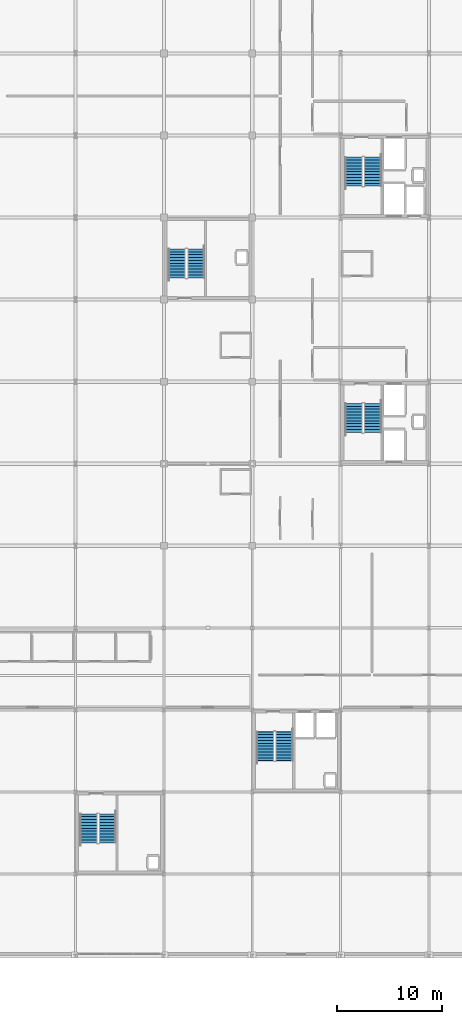
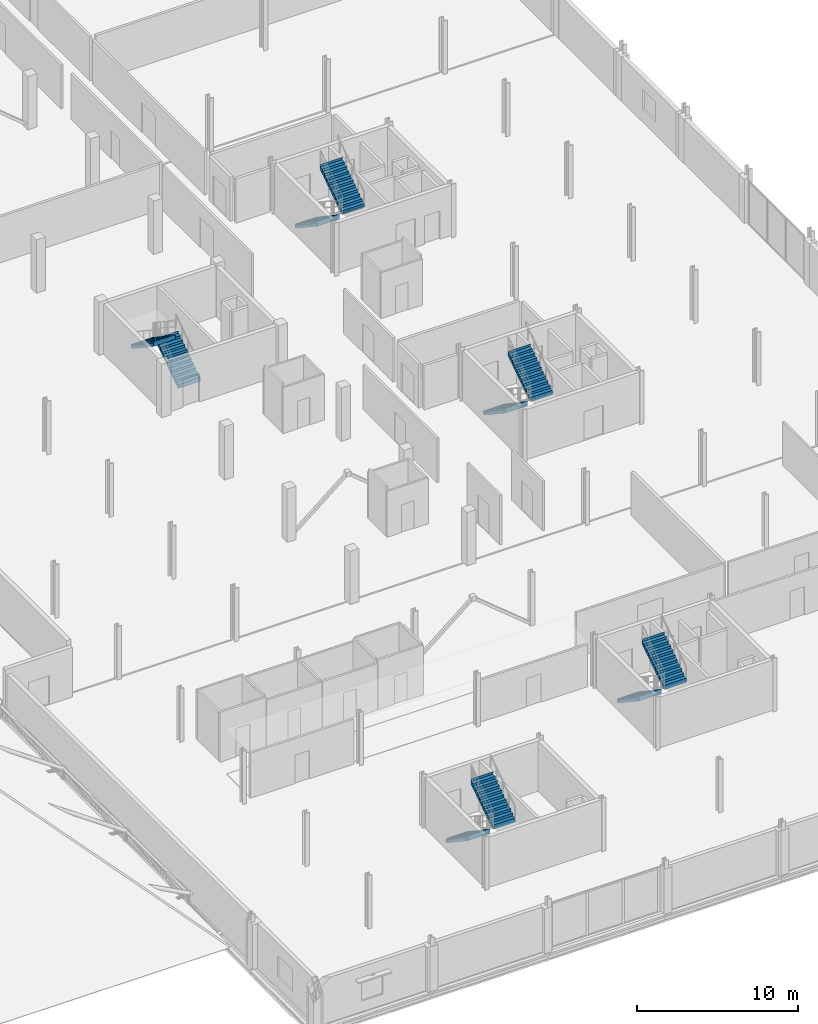
# One storey, part 64 of 77: 10 stair flights, 5 elements without a shape of their own.
"""IFC4 building model written with IfcOpenShell, lengths in metres."""

import ifcopenshell
import ifcopenshell.guid

model = None  # the IFC model being written
_history = None  # IfcOwnerHistory: only IFC2X3 demands one
_inside = {}  # id of a spatial element -> (the spatial element, [elements in it])
_under = {}  # id of a project, library or spatial element -> (it, [spatial elements below it])
_declared = {}  # id of a project -> (the project, [libraries it declares])
_typed = {}  # id of a type object -> (the type object, [elements of that type])
_made_of = {}  # id of a material, layer set ... -> (it, [elements and type objects made of it])


def new_model(schema):
    """Start an empty IFC model of exactly this schema.

    Asked for "IFC4X3", IfcOpenShell would pick the latest addendum, in which some entities
    have other attributes; the version numbers below select the first issue.
    IFC2X3 requires an IfcOwnerHistory on every rooted entity: one is made here for all.
    """
    global model, _history
    if schema == "IFC4X3":
        model = ifcopenshell.file(schema_version=(4, 3, 0, 0))
    else:
        model = ifcopenshell.file(schema=schema)
    _inside.clear()
    _under.clear()
    _declared.clear()
    _typed.clear()
    _made_of.clear()
    _history = None
    if model.schema == "IFC2X3":
        org = make("IfcOrganization", Name="unknown")
        user = make(
            "IfcPersonAndOrganization",
            ThePerson=make("IfcPerson", FamilyName="unknown"),
            TheOrganization=org,
        )
        app = make(
            "IfcApplication",
            ApplicationDeveloper=org,
            Version="unknown",
            ApplicationFullName="unknown",
            ApplicationIdentifier="unknown",
        )
        _history = make(
            "IfcOwnerHistory",
            OwningUser=user,
            OwningApplication=app,
            ChangeAction="ADDED",
            CreationDate=0,
        )
    return model


def make(cls, **values):
    """One entity of the class cls with the attributes given. An attribute that is None is left unset."""
    return model.create_entity(
        cls, **{name: value for name, value in values.items() if value is not None}
    )


def rooted(cls, **values):
    """An entity with a GlobalId (a new one), such as an element, a storey or a relation."""
    return make(cls, GlobalId=ifcopenshell.guid.new(), OwnerHistory=_history, **values)


def si_unit(unit_type, name, prefix=None):
    """IfcSIUnit, for example si_unit("LENGTHUNIT", "METRE", prefix="MILLI")."""
    return make("IfcSIUnit", UnitType=unit_type, Prefix=prefix, Name=name)


def assignment(units):
    """IfcUnitAssignment: the units of a project."""
    return None if units is None else make("IfcUnitAssignment", Units=units)


def point(xyz):
    """IfcCartesianPoint."""
    return None if xyz is None else make("IfcCartesianPoint", Coordinates=xyz)


def direction(xyz):
    """IfcDirection."""
    return None if xyz is None else make("IfcDirection", DirectionRatios=xyz)


def frame(location, z_axis=None, x_axis=None):
    """IfcAxis2Placement3D, a coordinate frame: its origin and axes. An axis left out is left unset."""
    return make(
        "IfcAxis2Placement3D",
        Location=point(location),
        Axis=direction(z_axis),
        RefDirection=direction(x_axis),
    )


def origin():
    """The frame at (0, 0, 0) with its axes left unset."""
    return frame((0.0, 0.0, 0.0))


def place(relative_to, where):
    """IfcLocalPlacement: puts the frame where relative to a parent placement (None: the world)."""
    return make(
        "IfcLocalPlacement", PlacementRelTo=relative_to, RelativePlacement=where
    )


def context(
    kind, dimensions, precision=None, world=None, true_north=None, identifier=None
):
    """IfcGeometricRepresentationContext, for example the 3D "Model" context."""
    return make(
        "IfcGeometricRepresentationContext",
        ContextIdentifier=identifier,
        ContextType=kind,
        CoordinateSpaceDimension=dimensions,
        Precision=precision,
        WorldCoordinateSystem=world,
        TrueNorth=true_north,
    )


def subcontext(parent, identifier, kind, view, scale=None):
    """IfcGeometricRepresentationSubContext, for example "Body" below "Model"."""
    return make(
        "IfcGeometricRepresentationSubContext",
        ContextIdentifier=identifier,
        ContextType=kind,
        ParentContext=parent,
        TargetScale=scale,
        TargetView=view,
    )


def project(units=None, contexts=None):
    """IfcProject with its units and contexts."""
    return rooted(
        "IfcProject",
        Name="project",
        RepresentationContexts=contexts,
        UnitsInContext=assignment(units),
    )


def spatial(cls, under=None, at=None, **own):
    """A site, building, storey or space (cls), placed at a placement, below another one or the project."""
    s = rooted(cls, ObjectPlacement=at, **own)
    if under is not None:
        _under.setdefault(under.id(), (under, []))[1].append(s)
    return s


def polyline(points):
    """IfcPolyline through the points."""
    return make("IfcPolyline", Points=[point(p) for p in points])


def outline(outer, holes=None, kind="AREA"):
    """IfcArbitraryClosedProfileDef: a profile drawn as a closed curve; with holes, ...WithVoids."""
    if holes is None:
        return make("IfcArbitraryClosedProfileDef", ProfileType=kind, OuterCurve=outer)
    return make(
        "IfcArbitraryProfileDefWithVoids",
        ProfileType=kind,
        OuterCurve=outer,
        InnerCurves=holes,
    )


def extrude(swept, where, along, depth):
    """IfcExtrudedAreaSolid: the profile swept, set in the frame where, extruded along a direction by depth."""
    return make(
        "IfcExtrudedAreaSolid",
        SweptArea=swept,
        Position=where,
        ExtrudedDirection=direction(along),
        Depth=depth,
    )


def shape(context_of_items, identifier, shape_type, items):
    """IfcShapeRepresentation: the items that make up one representation, for example the "Body"."""
    return make(
        "IfcShapeRepresentation",
        ContextOfItems=context_of_items,
        RepresentationIdentifier=identifier,
        RepresentationType=shape_type,
        Items=items,
    )


def material(Name=None, Category=None):
    """IfcMaterial."""
    return make("IfcMaterial", Name=Name, Category=Category)


def made_of(thing, what):
    """Note that an element or type object is made of a material, layer set ...; save() writes the relation."""
    if what is not None:
        _made_of.setdefault(what.id(), (what, []))[1].append(thing)
    return thing


def type_object(cls, material=None, **own):
    """A type object (cls), such as IfcWallType, which elements share."""
    return made_of(rooted(cls, **own), material)


def element(
    cls,
    number,
    at=None,
    inside=None,
    cuts=None,
    type_object=None,
    material=None,
    context=None,
    identifier="Body",
    shape_type=None,
    held_by="IfcProductDefinitionShape",
    body=None,
    shapes=None,
    **own,
):
    """One element of the class cls, such as IfcWall. Its Tag is "e" and its number.

    at: its placement. inside: the storey or other place that contains it. cuts: it is an
    opening in that element (IfcRelVoidsElement). A single representation is given by context,
    identifier, shape_type and body (its items); several are given by shapes. held_by: the class
    of the entity that holds the representations. save() writes the other relations.
    """
    e = rooted(cls, Tag="e%d" % number, ObjectPlacement=at, **own)
    if body is not None:
        shapes = [shape(context, identifier, shape_type, body)]
    if shapes is not None:
        e.Representation = make(held_by, Representations=shapes)
    if inside is not None:
        _inside.setdefault(inside.id(), (inside, []))[1].append(e)
    if cuts is not None:
        rooted(
            "IfcRelVoidsElement", RelatingBuildingElement=cuts, RelatedOpeningElement=e
        )
    if type_object is not None:
        _typed.setdefault(type_object.id(), (type_object, []))[1].append(e)
    return made_of(e, material)


def aggregate(whole, parts):
    """IfcRelAggregates: a whole, such as a stair, and the parts it consists of."""
    return rooted("IfcRelAggregates", RelatingObject=whole, RelatedObjects=parts)


def save(model, path):
    """Write the relations noted so far, then the file.

    IfcRelAggregates (storeys below a building ...), IfcRelContainedInSpatialStructure (elements
    in a storey), IfcRelDefinesByType, IfcRelAssociatesMaterial and IfcRelDeclares: one each for
    every whole, place, type object, material and project.
    """
    for whole, parts in _under.values():
        aggregate(whole, parts)
    for where, things in _inside.values():
        rooted(
            "IfcRelContainedInSpatialStructure",
            RelatedElements=things,
            RelatingStructure=where,
        )
    for kind, things in _typed.values():
        rooted("IfcRelDefinesByType", RelatedObjects=things, RelatingType=kind)
    for what, things in _made_of.values():
        rooted("IfcRelAssociatesMaterial", RelatedObjects=things, RelatingMaterial=what)
    for by, libraries in _declared.values():
        rooted("IfcRelDeclares", RelatingContext=by, RelatedDefinitions=libraries)
    model.write(path)


model = new_model("IFC4")

# Units and contexts
model_context = context("Model", 3, precision=1e-05, world=origin(), true_north=direction((0.0, 1.0)))
body_context = subcontext(model_context, "Body", "Model", "MODEL_VIEW")
ifc_project = project(units=[si_unit("LENGTHUNIT", "METRE"), si_unit("AREAUNIT", "SQUARE_METRE"), si_unit("VOLUMEUNIT", "CUBIC_METRE"), si_unit("PLANEANGLEUNIT", "RADIAN"), si_unit("MASSUNIT", "GRAM", prefix="KILO")], contexts=[model_context])

# Site, building, storey
site_placement = place(None, origin())
site = spatial("IfcSite", under=ifc_project, at=site_placement, CompositionType="ELEMENT")
building_placement = place(site_placement, origin())
building = spatial("IfcBuilding", under=site, at=building_placement, Name="Nabrawat Pavilion Hospital", CompositionType="ELEMENT")
storey_placement = place(building_placement, frame((0.0, 0.0, 14.85009765625)))
storey = spatial("IfcBuildingStorey", under=building, at=storey_placement, Name="L03", CompositionType="ELEMENT", Elevation=14.85009765625)

# Stair, stair flights
ifc_material = material(Name="Concrete C35/45", Category="concrete")
stair_type_1 = type_object("IfcStairType", Name="Core Dogleg Escape Stair Assembly", PredefinedType="HALF_TURN_STAIR", material=ifc_material)
stair_1_placement = place(storey_placement, origin())
stair_1 = element("IfcStair", 1, at=stair_1_placement, inside=storey, type_object=stair_type_1, Name="L03 Outpatient Clinics Core 4", PredefinedType="HALF_TURN_STAIR")
stair_flight_type = type_object("IfcStairFlightType", Name="Reinforced Concrete Escape Stair Flight 1600", PredefinedType="STRAIGHT", material=ifc_material)
stair_flight_1_placement = place(storey_placement, frame((160.85009765625, 21.330078125, 0.0), z_axis=(0.0, 0.0, 1.0), x_axis=(0.0, -1.0, 0.0)))
stair_flight_1 = element("IfcStairFlight", 2, at=stair_flight_1_placement, type_object=stair_flight_type, Name="ST-04 flight 1", NumberOfRisers=11, NumberOfTreads=10, PredefinedType="STRAIGHT", RiserHeight=0.184090909, TreadLength=0.275, context=body_context, shape_type="SweptSolid", body=[
    extrude(outline(polyline([(-0.008056640625, 0.0), (0.0, 0.0), (0.0, 0.18408203125), (0.27490234375, 0.18408203125), (0.27490234375, 0.3681640625), (0.550048828125, 0.3681640625), (0.550048828125, 0.55224609375), (0.824951171875, 0.55224609375), (0.824951171875, 0.736328125), (1.10009765625, 0.736328125), (1.10009765625, 0.92041015625), (1.375, 0.92041015625), (1.375, 1.1044921875), (1.64990234375, 1.1044921875), (1.64990234375, 1.28857421875), (1.925048828125, 1.28857421875), (1.925048828125, 1.47265625), (2.199951171875, 1.47265625), (2.199951171875, 1.65673828125), (2.47509765625, 1.65673828125), (2.47509765625, 1.8408203125), (2.75, 1.8408203125), (2.75, 2.02490234375), (2.758056640625, 2.02490234375), (2.758056640625, 1.875), (2.75, 1.660400390625), (0.26953125, 0.0), (-0.008056640625, -0.1201171875), (-0.008056640625, 0.0)])), frame((0.0, 0.800048828125, 0.0), z_axis=(0.0, -1.0, 0.0), x_axis=(1.0, 0.0, 0.0)), (0.0, 0.0, 1.0), 1.60009765625),
])
stair_flight_2_placement = place(storey_placement, frame((162.64990234375, 18.580078125, 2.02490234375), z_axis=(0.0, 0.0, 1.0), x_axis=(0.0, 1.0, 0.0)))
stair_flight_2 = element("IfcStairFlight", 3, at=stair_flight_2_placement, type_object=stair_flight_type, Name="ST-04 flight 2", NumberOfRisers=11, NumberOfTreads=10, PredefinedType="STRAIGHT", RiserHeight=0.184090909, TreadLength=0.275, context=body_context, shape_type="SweptSolid", body=[
    extrude(outline(polyline([(-0.008056640625, 0.0), (0.0, 0.0), (0.0, 0.18408203125), (0.27490234375, 0.18408203125), (0.27490234375, 0.3681640625), (0.550048828125, 0.3681640625), (0.550048828125, 0.55224609375), (0.824951171875, 0.55224609375), (0.824951171875, 0.736328125), (1.10009765625, 0.736328125), (1.10009765625, 0.92041015625), (1.375, 0.92041015625), (1.375, 1.1044921875), (1.64990234375, 1.1044921875), (1.64990234375, 1.28857421875), (1.925048828125, 1.28857421875), (1.925048828125, 1.47265625), (2.199951171875, 1.47265625), (2.199951171875, 1.65673828125), (2.47509765625, 1.65673828125), (2.47509765625, 1.8408203125), (2.75, 1.8408203125), (2.75, 2.02490234375), (2.758056640625, 2.02490234375), (2.758056640625, 1.875), (2.75, 1.660400390625), (0.26953125, 0.0), (-0.008056640625, -0.1201171875), (-0.008056640625, 0.0)])), frame((0.0, 0.800048828125, 0.0), z_axis=(0.0, -1.0, 0.0), x_axis=(1.0, 0.0, 0.0)), (0.0, 0.0, 1.0), 1.60009765625),
])
aggregate(stair_1, [stair_flight_1, stair_flight_2])

stair_type_2 = type_object("IfcStairType", Name="Ward Upper Dogleg Escape Stair Assembly", PredefinedType="HALF_TURN_STAIR", material=ifc_material)
stair_2_placement = place(storey_placement, origin())
stair_2 = element("IfcStair", 4, at=stair_2_placement, inside=storey, type_object=stair_type_2, Name="L03 Inpatient South Firefighting Core 5", PredefinedType="HALF_TURN_STAIR")
stair_flight_3_placement = place(storey_placement, frame((169.25, 52.530029296875, 0.0), z_axis=(0.0, 0.0, 1.0), x_axis=(0.0, -1.0, 0.0)))
stair_flight_3 = element("IfcStairFlight", 5, at=stair_flight_3_placement, type_object=stair_flight_type, Name="ST-05 flight 1", NumberOfRisers=11, NumberOfTreads=10, PredefinedType="STRAIGHT", RiserHeight=0.184090909, TreadLength=0.275, context=body_context, shape_type="SweptSolid", body=[
    extrude(outline(polyline([(-0.008056640625, 0.0), (0.0, 0.0), (0.0, 0.18408203125), (0.27490234375, 0.18408203125), (0.27490234375, 0.3681640625), (0.550048828125, 0.3681640625), (0.550048828125, 0.55224609375), (0.824951171875, 0.55224609375), (0.824951171875, 0.736328125), (1.10009765625, 0.736328125), (1.10009765625, 0.92041015625), (1.375, 0.92041015625), (1.375, 1.1044921875), (1.64990234375, 1.1044921875), (1.64990234375, 1.28857421875), (1.925048828125, 1.28857421875), (1.925048828125, 1.47265625), (2.199951171875, 1.47265625), (2.199951171875, 1.65673828125), (2.47509765625, 1.65673828125), (2.47509765625, 1.8408203125), (2.75, 1.8408203125), (2.75, 2.02490234375), (2.758056640625, 2.02490234375), (2.758056640625, 1.875), (2.75, 1.660400390625), (0.26953125, 0.0), (-0.008056640625, -0.1201171875), (-0.008056640625, 0.0)])), frame((0.0, 0.800048828125, 0.0), z_axis=(0.0, -1.0, 0.0), x_axis=(1.0, 0.0, 0.0)), (0.0, 0.0, 1.0), 1.60009765625),
])
stair_flight_4_placement = place(storey_placement, frame((171.050048828125, 49.780029296875, 2.02490234375), z_axis=(0.0, 0.0, 1.0), x_axis=(0.0, 1.0, 0.0)))
stair_flight_4 = element("IfcStairFlight", 6, at=stair_flight_4_placement, type_object=stair_flight_type, Name="ST-05 flight 2", NumberOfRisers=11, NumberOfTreads=10, PredefinedType="STRAIGHT", RiserHeight=0.184090909, TreadLength=0.275, context=body_context, shape_type="SweptSolid", body=[
    extrude(outline(polyline([(-0.008056640625, 0.0), (0.0, 0.0), (0.0, 0.18408203125), (0.27490234375, 0.18408203125), (0.27490234375, 0.3681640625), (0.550048828125, 0.3681640625), (0.550048828125, 0.55224609375), (0.824951171875, 0.55224609375), (0.824951171875, 0.736328125), (1.10009765625, 0.736328125), (1.10009765625, 0.92041015625), (1.375, 0.92041015625), (1.375, 1.1044921875), (1.64990234375, 1.1044921875), (1.64990234375, 1.28857421875), (1.925048828125, 1.28857421875), (1.925048828125, 1.47265625), (2.199951171875, 1.47265625), (2.199951171875, 1.65673828125), (2.47509765625, 1.65673828125), (2.47509765625, 1.8408203125), (2.75, 1.8408203125), (2.75, 2.02490234375), (2.758056640625, 2.02490234375), (2.758056640625, 1.875), (2.75, 1.660400390625), (0.26953125, 0.0), (-0.008056640625, -0.1201171875), (-0.008056640625, 0.0)])), frame((0.0, 0.800048828125, 0.0), z_axis=(0.0, -1.0, 0.0), x_axis=(1.0, 0.0, 0.0)), (0.0, 0.0, 1.0), 1.60009765625),
])
aggregate(stair_2, [stair_flight_3, stair_flight_4])

stair_3_placement = place(storey_placement, origin())
stair_3 = element("IfcStair", 7, at=stair_3_placement, inside=storey, type_object=stair_type_2, Name="L03 Inpatient North Firefighting Core 6", PredefinedType="HALF_TURN_STAIR")
stair_flight_5_placement = place(storey_placement, frame((169.25, 75.929931640625, 0.0), z_axis=(0.0, 0.0, 1.0), x_axis=(0.0, -1.0, 0.0)))
stair_flight_5 = element("IfcStairFlight", 8, at=stair_flight_5_placement, type_object=stair_flight_type, Name="ST-06 flight 1", NumberOfRisers=11, NumberOfTreads=10, PredefinedType="STRAIGHT", RiserHeight=0.184090909, TreadLength=0.275, context=body_context, shape_type="SweptSolid", body=[
    extrude(outline(polyline([(-0.008056640625, 0.0), (0.0, 0.0), (0.0, 0.18408203125), (0.27490234375, 0.18408203125), (0.27490234375, 0.3681640625), (0.550048828125, 0.3681640625), (0.550048828125, 0.55224609375), (0.824951171875, 0.55224609375), (0.824951171875, 0.736328125), (1.10009765625, 0.736328125), (1.10009765625, 0.92041015625), (1.375, 0.92041015625), (1.375, 1.1044921875), (1.64990234375, 1.1044921875), (1.64990234375, 1.28857421875), (1.925048828125, 1.28857421875), (1.925048828125, 1.47265625), (2.199951171875, 1.47265625), (2.199951171875, 1.65673828125), (2.47509765625, 1.65673828125), (2.47509765625, 1.8408203125), (2.75, 1.8408203125), (2.75, 2.02490234375), (2.758056640625, 2.02490234375), (2.758056640625, 1.875), (2.75, 1.660400390625), (0.26953125, 0.0), (-0.008056640625, -0.1201171875), (-0.008056640625, 0.0)])), frame((0.0, 0.800048828125, 0.0), z_axis=(0.0, -1.0, 0.0), x_axis=(1.0, 0.0, 0.0)), (0.0, 0.0, 1.0), 1.60009765625),
])
stair_flight_6_placement = place(storey_placement, frame((171.050048828125, 73.179931640625, 2.02490234375), z_axis=(0.0, 0.0, 1.0), x_axis=(0.0, 1.0, 0.0)))
stair_flight_6 = element("IfcStairFlight", 9, at=stair_flight_6_placement, type_object=stair_flight_type, Name="ST-06 flight 2", NumberOfRisers=11, NumberOfTreads=10, PredefinedType="STRAIGHT", RiserHeight=0.184090909, TreadLength=0.275, context=body_context, shape_type="SweptSolid", body=[
    extrude(outline(polyline([(-0.008056640625, 0.0), (0.0, 0.0), (0.0, 0.18408203125), (0.27490234375, 0.18408203125), (0.27490234375, 0.3681640625), (0.550048828125, 0.3681640625), (0.550048828125, 0.55224609375), (0.824951171875, 0.55224609375), (0.824951171875, 0.736328125), (1.10009765625, 0.736328125), (1.10009765625, 0.92041015625), (1.375, 0.92041015625), (1.375, 1.1044921875), (1.64990234375, 1.1044921875), (1.64990234375, 1.28857421875), (1.925048828125, 1.28857421875), (1.925048828125, 1.47265625), (2.199951171875, 1.47265625), (2.199951171875, 1.65673828125), (2.47509765625, 1.65673828125), (2.47509765625, 1.8408203125), (2.75, 1.8408203125), (2.75, 2.02490234375), (2.758056640625, 2.02490234375), (2.758056640625, 1.875), (2.75, 1.660400390625), (0.26953125, 0.0), (-0.008056640625, -0.1201171875), (-0.008056640625, 0.0)])), frame((0.0, 0.800048828125, 0.0), z_axis=(0.0, -1.0, 0.0), x_axis=(1.0, 0.0, 0.0)), (0.0, 0.0, 1.0), 1.60009765625),
])
aggregate(stair_3, [stair_flight_5, stair_flight_6])

stair_4_placement = place(storey_placement, origin())
stair_4 = element("IfcStair", 10, at=stair_4_placement, inside=storey, type_object=stair_type_1, Name="L03 Outpatient West Escape Stair Core 8", PredefinedType="HALF_TURN_STAIR")
stair_flight_7_placement = place(storey_placement, frame((144.050048828125, 13.530029296875, 0.0), z_axis=(0.0, 0.0, 1.0), x_axis=(0.0, -1.0, 0.0)))
stair_flight_7 = element("IfcStairFlight", 11, at=stair_flight_7_placement, type_object=stair_flight_type, Name="ST-08 flight 1", NumberOfRisers=11, NumberOfTreads=10, PredefinedType="STRAIGHT", RiserHeight=0.184090909, TreadLength=0.275, context=body_context, shape_type="SweptSolid", body=[
    extrude(outline(polyline([(-0.008056640625, 0.0), (0.0, 0.0), (0.0, 0.18408203125), (0.27490234375, 0.18408203125), (0.27490234375, 0.3681640625), (0.550048828125, 0.3681640625), (0.550048828125, 0.55224609375), (0.824951171875, 0.55224609375), (0.824951171875, 0.736328125), (1.10009765625, 0.736328125), (1.10009765625, 0.92041015625), (1.375, 0.92041015625), (1.375, 1.1044921875), (1.64990234375, 1.1044921875), (1.64990234375, 1.28857421875), (1.925048828125, 1.28857421875), (1.925048828125, 1.47265625), (2.199951171875, 1.47265625), (2.199951171875, 1.65673828125), (2.47509765625, 1.65673828125), (2.47509765625, 1.8408203125), (2.75, 1.8408203125), (2.75, 2.02490234375), (2.758056640625, 2.02490234375), (2.758056640625, 1.875), (2.75, 1.660400390625), (0.26953125, 0.0), (-0.008056640625, -0.1201171875), (-0.008056640625, 0.0)])), frame((0.0, 0.800048828125, 0.0), z_axis=(0.0, -1.0, 0.0), x_axis=(1.0, 0.0, 0.0)), (0.0, 0.0, 1.0), 1.60009765625),
])
stair_flight_8_placement = place(storey_placement, frame((145.85009765625, 10.780029296875, 2.02490234375), z_axis=(0.0, 0.0, 1.0), x_axis=(0.0, 1.0, 0.0)))
stair_flight_8 = element("IfcStairFlight", 12, at=stair_flight_8_placement, type_object=stair_flight_type, Name="ST-08 flight 2", NumberOfRisers=11, NumberOfTreads=10, PredefinedType="STRAIGHT", RiserHeight=0.184090909, TreadLength=0.275, context=body_context, shape_type="SweptSolid", body=[
    extrude(outline(polyline([(-0.008056640625, 0.0), (0.0, 0.0), (0.0, 0.18408203125), (0.27490234375, 0.18408203125), (0.27490234375, 0.3681640625), (0.550048828125, 0.3681640625), (0.550048828125, 0.55224609375), (0.824951171875, 0.55224609375), (0.824951171875, 0.736328125), (1.10009765625, 0.736328125), (1.10009765625, 0.92041015625), (1.375, 0.92041015625), (1.375, 1.1044921875), (1.64990234375, 1.1044921875), (1.64990234375, 1.28857421875), (1.925048828125, 1.28857421875), (1.925048828125, 1.47265625), (2.199951171875, 1.47265625), (2.199951171875, 1.65673828125), (2.47509765625, 1.65673828125), (2.47509765625, 1.8408203125), (2.75, 1.8408203125), (2.75, 2.02490234375), (2.758056640625, 2.02490234375), (2.758056640625, 1.875), (2.75, 1.660400390625), (0.26953125, 0.0), (-0.008056640625, -0.1201171875), (-0.008056640625, 0.0)])), frame((0.0, 0.800048828125, 0.0), z_axis=(0.0, -1.0, 0.0), x_axis=(1.0, 0.0, 0.0)), (0.0, 0.0, 1.0), 1.60009765625),
])
aggregate(stair_4, [stair_flight_7, stair_flight_8])

stair_5_placement = place(storey_placement, origin())
stair_5 = element("IfcStair", 13, at=stair_5_placement, inside=storey, type_object=stair_type_2, Name="L03 Inpatient West Escape Stair Core 9", PredefinedType="HALF_TURN_STAIR")
stair_flight_9_placement = place(storey_placement, frame((154.25, 64.469970703125, 0.0), z_axis=(0.0, 0.0, 1.0), x_axis=(0.0, 1.0, 0.0)))
stair_flight_9 = element("IfcStairFlight", 14, at=stair_flight_9_placement, type_object=stair_flight_type, Name="ST-09 flight 1", NumberOfRisers=11, NumberOfTreads=10, PredefinedType="STRAIGHT", RiserHeight=0.184090909, TreadLength=0.275, context=body_context, shape_type="SweptSolid", body=[
    extrude(outline(polyline([(-0.008056640625, 0.0), (0.0, 0.0), (0.0, 0.18408203125), (0.27490234375, 0.18408203125), (0.27490234375, 0.3681640625), (0.550048828125, 0.3681640625), (0.550048828125, 0.55224609375), (0.824951171875, 0.55224609375), (0.824951171875, 0.736328125), (1.10009765625, 0.736328125), (1.10009765625, 0.92041015625), (1.375, 0.92041015625), (1.375, 1.1044921875), (1.64990234375, 1.1044921875), (1.64990234375, 1.28857421875), (1.925048828125, 1.28857421875), (1.925048828125, 1.47265625), (2.199951171875, 1.47265625), (2.199951171875, 1.65673828125), (2.47509765625, 1.65673828125), (2.47509765625, 1.8408203125), (2.75, 1.8408203125), (2.75, 2.02490234375), (2.758056640625, 2.02490234375), (2.758056640625, 1.875), (2.75, 1.660400390625), (0.26953125, 0.0), (-0.008056640625, -0.1201171875), (-0.008056640625, 0.0)])), frame((0.0, 0.800048828125, 0.0), z_axis=(0.0, -1.0, 0.0), x_axis=(1.0, 0.0, 0.0)), (0.0, 0.0, 1.0), 1.60009765625),
])
stair_flight_10_placement = place(storey_placement, frame((152.449951171875, 67.219970703125, 2.02490234375), z_axis=(0.0, 0.0, 1.0), x_axis=(0.0, -1.0, 0.0)))
stair_flight_10 = element("IfcStairFlight", 15, at=stair_flight_10_placement, type_object=stair_flight_type, Name="ST-09 flight 2", NumberOfRisers=11, NumberOfTreads=10, PredefinedType="STRAIGHT", RiserHeight=0.184090909, TreadLength=0.275, context=body_context, shape_type="SweptSolid", body=[
    extrude(outline(polyline([(-0.008056640625, 0.0), (0.0, 0.0), (0.0, 0.18408203125), (0.27490234375, 0.18408203125), (0.27490234375, 0.3681640625), (0.550048828125, 0.3681640625), (0.550048828125, 0.55224609375), (0.824951171875, 0.55224609375), (0.824951171875, 0.736328125), (1.10009765625, 0.736328125), (1.10009765625, 0.92041015625), (1.375, 0.92041015625), (1.375, 1.1044921875), (1.64990234375, 1.1044921875), (1.64990234375, 1.28857421875), (1.925048828125, 1.28857421875), (1.925048828125, 1.47265625), (2.199951171875, 1.47265625), (2.199951171875, 1.65673828125), (2.47509765625, 1.65673828125), (2.47509765625, 1.8408203125), (2.75, 1.8408203125), (2.75, 2.02490234375), (2.758056640625, 2.02490234375), (2.758056640625, 1.875), (2.75, 1.660400390625), (0.26953125, 0.0), (-0.008056640625, -0.1201171875), (-0.008056640625, 0.0)])), frame((0.0, 0.800048828125, 0.0), z_axis=(0.0, -1.0, 0.0), x_axis=(1.0, 0.0, 0.0)), (0.0, 0.0, 1.0), 1.60009765625),
])
aggregate(stair_5, [stair_flight_9, stair_flight_10])

save(model, "model.ifc")
